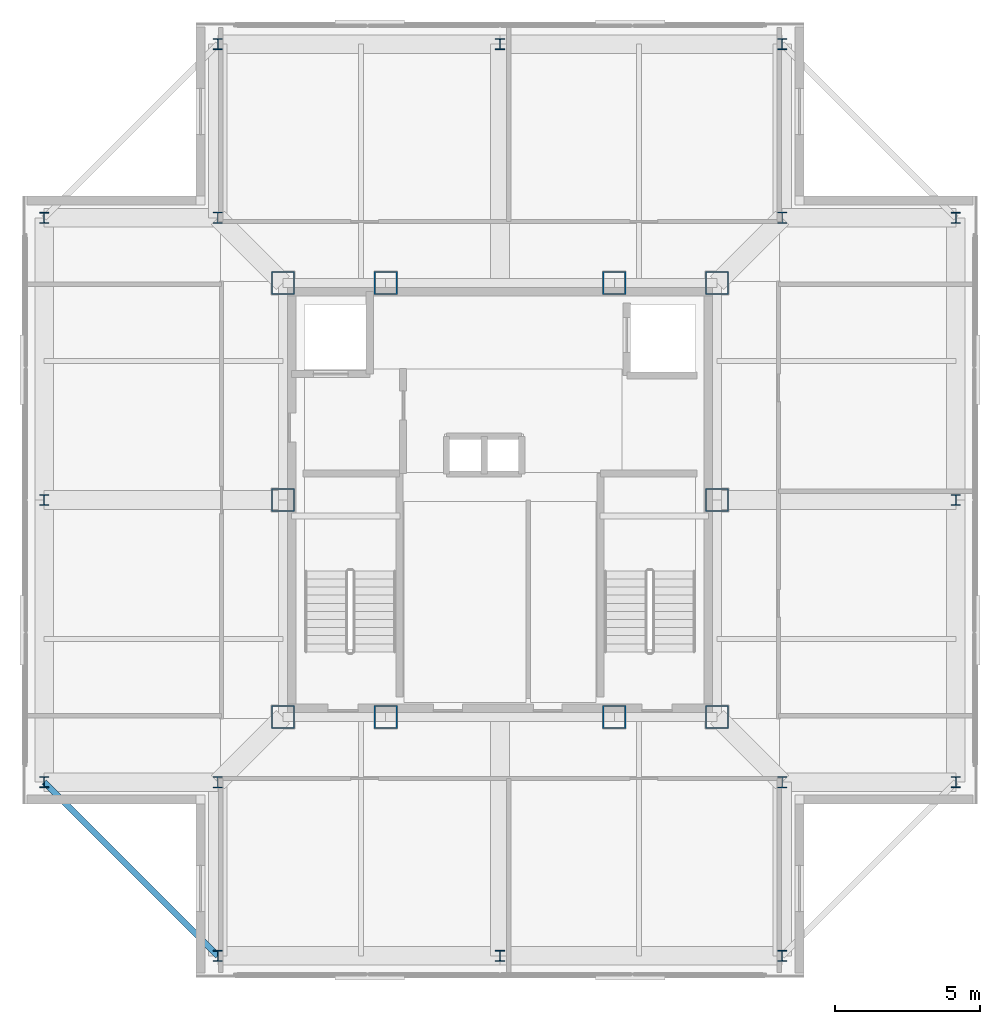
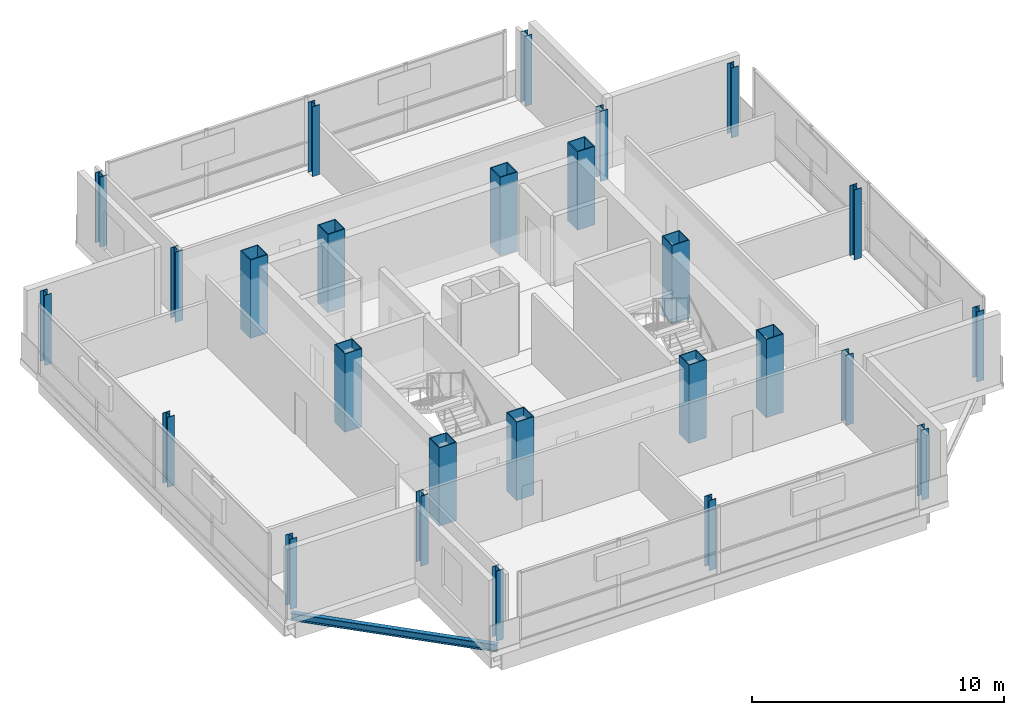
# One storey, part 1 of 11: 26 columns, 1 beam.
"""IFC4 building model written with IfcOpenShell, lengths in metres."""

from ifc_helpers import new_model, si_unit, direction, frame, origin, origin_2d, place, context, subcontext, project, spatial, hollow_rectangle, i_section, extrude, material, material_profile, profile_set, type_object, element, save


model = new_model("IFC4")

# Units and contexts
model_context = context("Model", 3, precision=1e-05, world=origin(), true_north=direction((0.0, 1.0)))
body_context = subcontext(model_context, "Body", "Model", "MODEL_VIEW")
ifc_project = project(units=[si_unit("LENGTHUNIT", "METRE"), si_unit("AREAUNIT", "SQUARE_METRE"), si_unit("VOLUMEUNIT", "CUBIC_METRE"), si_unit("PLANEANGLEUNIT", "RADIAN"), si_unit("MASSUNIT", "GRAM", prefix="KILO")], contexts=[model_context])

# Site, building, storey
site_placement = place(None, origin())
site = spatial("IfcSite", under=ifc_project, at=site_placement, CompositionType="ELEMENT")
building_placement = place(site_placement, origin())
building = spatial("IfcBuilding", under=site, at=building_placement, Name="Trevonay Congress Spire", CompositionType="ELEMENT")
storey_placement = place(building_placement, frame((0.0, 0.0, 312.199951171875)))
storey = spatial("IfcBuildingStorey", under=building, at=storey_placement, Name="L82", CompositionType="ELEMENT", Elevation=312.199951171875)

# Columns
ifc_material = material(Name="Steel ASTM A572 Grade 50", Category="steel")
ifc_material_profile_1 = material_profile(ifc_material, hollow_rectangle(XDim=0.800048828125, YDim=0.800048828125, WallThickness=0.0400390625, at=origin_2d()), Name="BOX 800x800x40")
ifc_profile_set_1 = profile_set([ifc_material_profile_1], Name="Steel ASTM A572 Grade 50")
column_type_1 = type_object("IfcColumnType", Name="COL-CORE-BOX800", PredefinedType="COLUMN", material=ifc_profile_set_1)
for number, where, z_axis, x_axis, name in (
    (1, (-7.5, -7.5, 0.0), (0.0, 0.0, 1.0), (1.0, 0.0, 0.0), "L82 column C05 at CC-SW"),
    (2, (-3.949951171875, -7.5, 0.0), (0.0, 0.0, 1.0), (1.0, 0.0, 0.0), "L82 column C05 at CC-SMW"),
    (3, (3.949951171875, -7.5, 0.0), (0.0, 0.0, 1.0), (1.0, 0.0, 0.0), "L82 column C05 at CC-SME"),
    (4, (7.5, -7.5, 0.0), (0.0, 0.0, 1.0), (1.0, 0.0, 0.0), "L82 column C05 at CC-SE"),
    (5, (7.5, 0.0, 0.0), (0.0, 0.0, 1.0), (1.0, 0.0, 0.0), "L82 column C05 at CC-E"),
    (6, (7.5, 7.5, 0.0), (0.0, 0.0, 1.0), (1.0, 0.0, 0.0), "L82 column C05 at CC-NE"),
    (7, (3.949951171875, 7.5, 0.0), (0.0, 0.0, 1.0), (1.0, 0.0, 0.0), "L82 column C05 at CC-NME"),
    (8, (-3.949951171875, 7.5, 0.0), (0.0, 0.0, 1.0), (1.0, 0.0, 0.0), "L82 column C05 at CC-NMW"),
    (9, (-7.5, 7.5, 0.0), (0.0, 0.0, 1.0), (1.0, 0.0, 0.0), "L82 column C05 at CC-NW"),
    (10, (-7.5, 0.0, 0.0), (0.0, 0.0, 1.0), (1.0, 0.0, 0.0), "L82 column C05 at CC-W"),
):
    element("IfcColumn", number, at=place(storey_placement, frame(where, z_axis=z_axis, x_axis=x_axis)), inside=storey, type_object=column_type_1, Name=name, PredefinedType="COLUMN", context=body_context, shape_type="SweptSolid", body=[
        extrude(hollow_rectangle(XDim=0.800048828125, YDim=0.800048828125, WallThickness=0.0400390625, at=origin_2d()), origin(), (0.0, 0.0, 1.0), 3.800048828125),
    ])
ifc_material_profile_2 = material_profile(ifc_material, i_section(OverallWidth=0.322021484375, OverallDepth=0.3720703125, WebThickness=0.014404296875, FlangeThickness=0.023681640625, FilletRadius=0.02001953125, at=origin_2d()), Name="W360x196")
ifc_profile_set_2 = profile_set([ifc_material_profile_2], Name="Steel ASTM A572 Grade 50")
column_type_2 = type_object("IfcColumnType", Name="COL-CROWN-W360X196", PredefinedType="COLUMN", material=ifc_profile_set_2)
for number, where, z_axis, x_axis, name in (
    (11, (-9.75, -15.75, 0.0), (0.0, 0.0, 1.0), (1.0, 0.0, 0.0), "L82 column C18 at TS-1"),
    (12, (-9.75, 15.75, 0.0), (0.0, 0.0, 1.0), (1.0, 0.0, 0.0), "L82 column C18 at TN-1"),
    (13, (-15.75, -9.75, 0.0), (0.0, 0.0, 1.0), (1.0, 0.0, 0.0), "L82 column C18 at TW-1"),
    (14, (15.75, -9.75, 0.0), (0.0, 0.0, 1.0), (1.0, 0.0, 0.0), "L82 column C18 at TE-1"),
    (15, (0.0, -15.75, 0.0), (0.0, 0.0, 1.0), (1.0, 0.0, 0.0), "L82 column C18 at TS-2"),
    (16, (0.0, 15.75, 0.0), (0.0, 0.0, 1.0), (1.0, 0.0, 0.0), "L82 column C18 at TN-2"),
    (17, (-15.75, 0.0, 0.0), (0.0, 0.0, 1.0), (1.0, 0.0, 0.0), "L82 column C18 at TW-2"),
    (18, (15.75, 0.0, 0.0), (0.0, 0.0, 1.0), (1.0, 0.0, 0.0), "L82 column C18 at TE-2"),
    (19, (9.75, -15.75, 0.0), (0.0, 0.0, 1.0), (1.0, 0.0, 0.0), "L82 column C18 at TS-3"),
    (20, (9.75, 15.75, 0.0), (0.0, 0.0, 1.0), (1.0, 0.0, 0.0), "L82 column C18 at TN-3"),
    (21, (-15.75, 9.75, 0.0), (0.0, 0.0, 1.0), (1.0, 0.0, 0.0), "L82 column C18 at TW-3"),
    (22, (15.75, 9.75, 0.0), (0.0, 0.0, 1.0), (1.0, 0.0, 0.0), "L82 column C18 at TE-3"),
):
    element("IfcColumn", number, at=place(storey_placement, frame(where, z_axis=z_axis, x_axis=x_axis)), inside=storey, type_object=column_type_2, Name=name, PredefinedType="COLUMN", context=body_context, shape_type="SweptSolid", body=[
        extrude(i_section(OverallWidth=0.322021484375, OverallDepth=0.3720703125, WebThickness=0.014404296875, FlangeThickness=0.023681640625, FilletRadius=0.02001953125, at=origin_2d()), origin(), (0.0, 0.0, 1.0), 3.400146484375),
    ])
ifc_material_profile_3 = material_profile(ifc_material, i_section(OverallWidth=0.340087890625, OverallDepth=0.39306640625, WebThickness=0.020263671875, FlangeThickness=0.033203125, FilletRadius=0.02001953125, at=origin_2d()), Name="W360x287")
ifc_profile_set_3 = profile_set([ifc_material_profile_3], Name="Steel ASTM A572 Grade 50")
column_type_3 = type_object("IfcColumnType", Name="COL-CROWN-W360X287", PredefinedType="COLUMN", material=ifc_profile_set_3)
for number, where, z_axis, x_axis, name in (
    (23, (-9.75, -9.75, 0.0), (0.0, 0.0, 1.0), (1.0, 0.0, 0.0), "L82 column C20 at NC-SW"),
    (24, (9.75, -9.75, 0.0), (0.0, 0.0, 1.0), (1.0, 0.0, 0.0), "L82 column C20 at NC-SE"),
    (25, (9.75, 9.75, 0.0), (0.0, 0.0, 1.0), (1.0, 0.0, 0.0), "L82 column C20 at NC-NE"),
    (26, (-9.75, 9.75, 0.0), (0.0, 0.0, 1.0), (1.0, 0.0, 0.0), "L82 column C20 at NC-NW"),
):
    element("IfcColumn", number, at=place(storey_placement, frame(where, z_axis=z_axis, x_axis=x_axis)), inside=storey, type_object=column_type_3, Name=name, PredefinedType="COLUMN", context=body_context, shape_type="SweptSolid", body=[
        extrude(i_section(OverallWidth=0.340087890625, OverallDepth=0.39306640625, WebThickness=0.020263671875, FlangeThickness=0.033203125, FilletRadius=0.02001953125, at=origin_2d()), origin(), (0.0, 0.0, 1.0), 3.400146484375),
    ])

# Beam
ifc_material_profile_4 = material_profile(ifc_material, i_section(OverallWidth=0.205078125, OverallDepth=0.35400390625, WebThickness=0.009521484375, FlangeThickness=0.016845703125, FilletRadius=0.011962890625, at=origin_2d()), Name="W360x79")
ifc_profile_set_4 = profile_set([ifc_material_profile_4], Name="Steel ASTM A572 Grade 50")
beam_type = type_object("IfcBeamType", Name="SPB-HSS350", PredefinedType="SPANDREL", material=ifc_profile_set_4)
beam_placement = place(storey_placement, frame((-9.75, -15.75, -0.45703125), z_axis=(-0.707106781187, 0.707106781187, 0.0), x_axis=(-0.707106781187, -0.707106781187, 0.0)))
element("IfcBeam", 27, at=beam_placement, inside=storey, type_object=beam_type, Name="L82 structural beam SPB-L82-SW", PredefinedType="SPANDREL", context=body_context, shape_type="SweptSolid", body=[
    extrude(i_section(OverallWidth=0.205078125, OverallDepth=0.35400390625, WebThickness=0.009521484375, FlangeThickness=0.016845703125, FilletRadius=0.011962890625, at=origin_2d()), origin(), (0.0, 0.0, 1.0), 8.4853515625),
])

save(model, "model.ifc")
